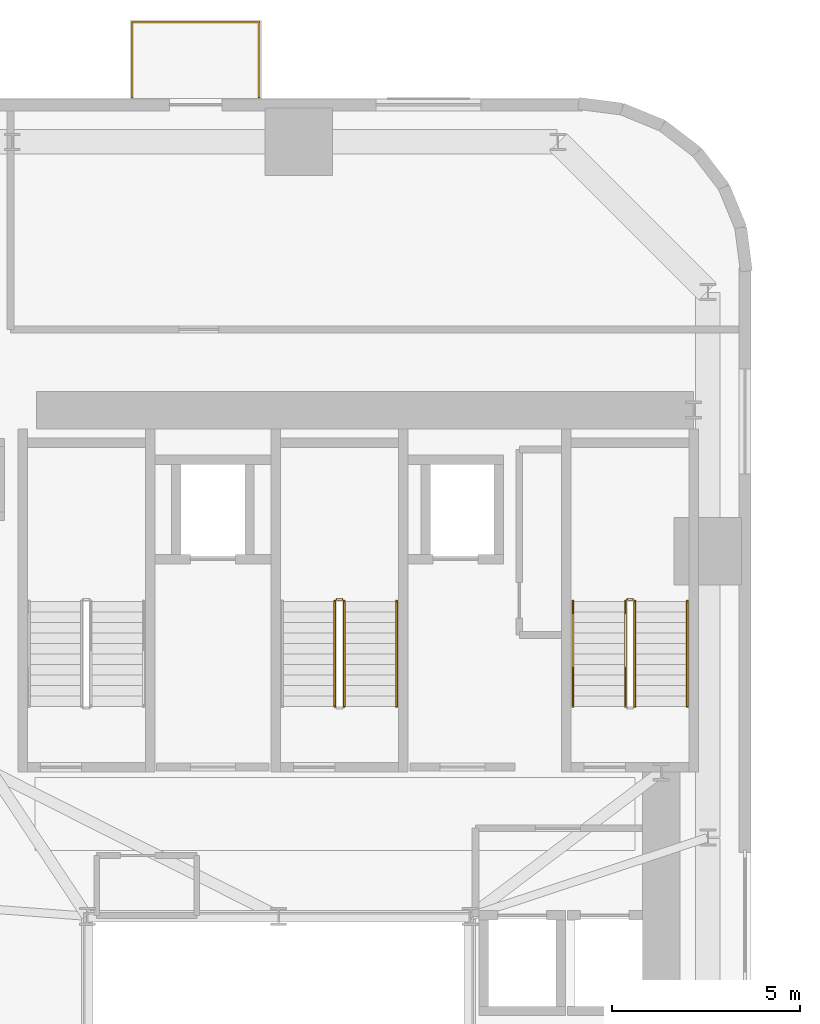
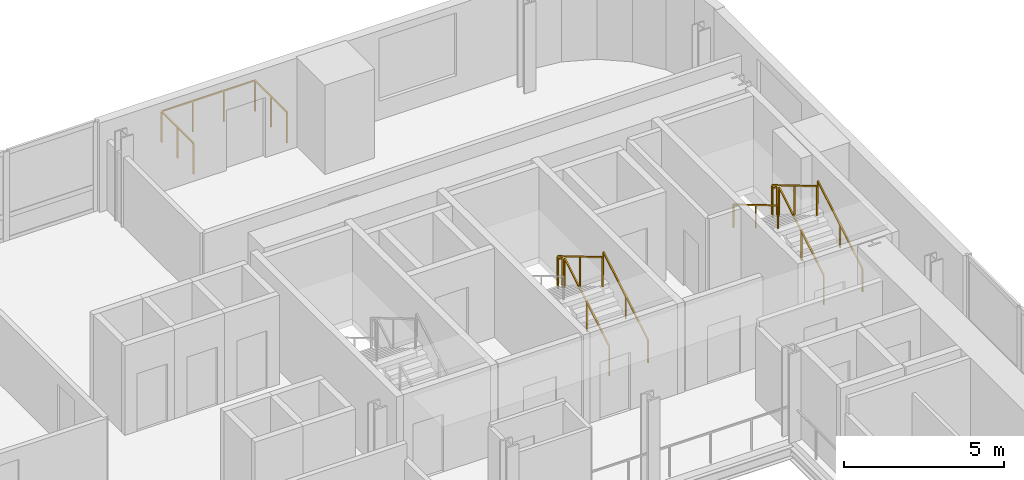
# One storey, part 13 of 13: 10 railings.
"""IFC4 building model written with IfcOpenShell, lengths in metres."""

from ifc_helpers import new_model, si_unit, direction, frame, origin, origin_2d, place, context, subcontext, project, spatial, rectangle, extrude, source, transform, mapped, material, type_object, element, save


model = new_model("IFC4")

# Units and contexts
model_context = context("Model", 3, precision=1e-05, world=origin(), true_north=direction((0.0, 1.0)))
body_context = subcontext(model_context, "Body", "Model", "MODEL_VIEW")
ifc_project = project(units=[si_unit("LENGTHUNIT", "METRE"), si_unit("AREAUNIT", "SQUARE_METRE"), si_unit("VOLUMEUNIT", "CUBIC_METRE"), si_unit("PLANEANGLEUNIT", "RADIAN"), si_unit("MASSUNIT", "GRAM", prefix="KILO")], contexts=[model_context])

# Site, building, storey
site_placement = place(None, origin())
site = spatial("IfcSite", under=ifc_project, at=site_placement, CompositionType="ELEMENT")
building_placement = place(site_placement, origin())
building = spatial("IfcBuilding", under=site, at=building_placement, Name="Vardaveli Station Tower", CompositionType="ELEMENT")
storey_placement = place(building_placement, frame((0.0, 0.0, 86.0)))
storey = spatial("IfcBuildingStorey", under=building, at=storey_placement, Name="L22", CompositionType="ELEMENT", Elevation=86.0)

# Railings
ifc_material_1 = material(Name="Laminated glass and stainless steel balustrade", Category="steel")
railing_type_1 = type_object("IfcRailingType", Name="RL-BAL-1200", PredefinedType="BALUSTRADE", material=ifc_material_1)
shared_shape_1 = source(origin(), body_context, "Body", "SweptSolid", [
    extrude(rectangle(XDim=0.048095703125, YDim=0.048095703125, at=origin_2d()), frame((0.0, 0.0, 1.17578125), z_axis=(0.0, 1.0, 0.0), x_axis=(-1.0, 0.0, 0.0)), (0.0, 0.0, 1.0), 2.0),
    extrude(rectangle(XDim=0.048095703125, YDim=0.048095703125, at=origin_2d()), frame((0.0, 2.0, 1.17578125), z_axis=(1.0, 0.0, 0.0), x_axis=(0.0, 1.0, 0.0)), (0.0, 0.0, 1.0), 3.3798828125),
    extrude(rectangle(XDim=0.048095703125, YDim=0.048095703125, at=origin_2d()), frame((3.3798828125, 2.0, 1.17578125), z_axis=(0.0, -1.0, 0.0), x_axis=(1.0, 0.0, 0.0)), (0.0, 0.0, 1.0), 2.0),
    extrude(rectangle(XDim=0.0419921875, YDim=0.0419921875, at=origin_2d()), origin(), (0.0, 0.0, 1.0), 1.15185546875),
    extrude(rectangle(XDim=0.0419921875, YDim=0.0419921875, at=origin_2d()), frame((0.0, 1.0, 0.0)), (0.0, 0.0, 1.0), 1.15185546875),
    extrude(rectangle(XDim=0.0419921875, YDim=0.0419921875, at=origin_2d()), frame((0.0, 2.0, 0.0)), (0.0, 0.0, 1.0), 1.15185546875),
    extrude(rectangle(XDim=0.0419921875, YDim=0.0419921875, at=origin_2d()), frame((1.126708984375, 2.0, 0.0)), (0.0, 0.0, 1.0), 1.15185546875),
    extrude(rectangle(XDim=0.0419921875, YDim=0.0419921875, at=origin_2d()), frame((2.253173828125, 2.0, 0.0)), (0.0, 0.0, 1.0), 1.15185546875),
    extrude(rectangle(XDim=0.0419921875, YDim=0.0419921875, at=origin_2d()), frame((3.3798828125, 2.0, 0.0)), (0.0, 0.0, 1.0), 1.15185546875),
    extrude(rectangle(XDim=0.0419921875, YDim=0.0419921875, at=origin_2d()), frame((3.3798828125, 1.0, 0.0)), (0.0, 0.0, 1.0), 1.15185546875),
    extrude(rectangle(XDim=0.0419921875, YDim=0.0419921875, at=origin_2d()), frame((3.3798828125, 0.0, 0.0)), (0.0, 0.0, 1.0), 1.15185546875),
])
railing_1_placement = place(storey_placement, frame((32.399658203125, 48.639892578125, 0.0)))
element("IfcRailing", 1, at=railing_1_placement, inside=storey, type_object=railing_type_1, Name="RL-LOG-L22-02", PredefinedType="BALUSTRADE", context=body_context, shape_type="MappedRepresentation", body=[
    mapped(shared_shape_1, transform((0.0, 0.0, 0.0), scale=1.0)),
])
ifc_material_2 = material(Name="Brushed AISI 316 stainless steel", Category="steel")
railing_type_2 = type_object("IfcRailingType", Name="RL-GUARD-1150", PredefinedType="GUARDRAIL", material=ifc_material_2)
shared_shape_2 = source(origin(), body_context, "Body", "SweptSolid", [
    extrude(rectangle(XDim=0.048095703125, YDim=0.048095703125, at=origin_2d()), frame((0.0, 0.0, 1.1259765625), z_axis=(-1.0, 0.0, 0.0), x_axis=(0.0, -1.0, 0.0)), (0.0, 0.0, 1.0), 0.14990234375),
    extrude(rectangle(XDim=0.0419921875, YDim=0.0419921875, at=origin_2d()), origin(), (0.0, 0.0, 1.0), 1.101806640625),
    extrude(rectangle(XDim=0.0419921875, YDim=0.0419921875, at=origin_2d()), frame((-0.14990234375, 0.0, 0.0)), (0.0, 0.0, 1.0), 1.101806640625),
])
for number, where, name in (
    (2, (38.0, 35.25, 1.824951171875), "L22 ST-2 stair guard 2"),
    (3, (45.75, 35.25, 1.824951171875), "L22 ST-3 stair guard 2"),
):
    element("IfcRailing", number, at=place(storey_placement, frame(where)), inside=storey, type_object=railing_type_2, Name=name, PredefinedType="GUARDRAIL", context=body_context, shape_type="MappedRepresentation", body=[
        mapped(shared_shape_2, transform((0.0, 0.0, 0.0), scale=1.0)),
    ])
shared_shape_3 = source(origin(), body_context, "Body", "SweptSolid", [
    extrude(rectangle(XDim=0.048095703125, YDim=0.048095703125, at=origin_2d()), frame((0.0, 0.0, 1.1259765625), z_axis=(0.0, 0.860339051648, 0.50972219513), x_axis=(-1.0, 0.0, 0.0)), (0.0, 0.0, 1.0), 3.254638671875),
    extrude(rectangle(XDim=0.0419921875, YDim=0.0419921875, at=origin_2d()), origin(), (0.0, 0.0, 1.0), 1.101806640625),
    extrude(rectangle(XDim=0.0419921875, YDim=0.0419921875, at=origin_2d()), frame((0.0, 1.39990234375, 0.82958984375)), (0.0, 0.0, 1.0), 1.101806640625),
    extrude(rectangle(XDim=0.0419921875, YDim=0.0419921875, at=origin_2d()), frame((0.0, 2.800048828125, 1.658935546875)), (0.0, 0.0, 1.0), 1.101806640625),
])
for number, where, name in (
    (4, (38.050048828125, 32.39990234375, 0.166015625), "L22 ST-2 stair guard 1"),
    (5, (45.800048828125, 32.39990234375, 0.166015625), "L22 ST-3 stair guard 1"),
):
    element("IfcRailing", number, at=place(storey_placement, frame(where)), inside=storey, type_object=railing_type_2, Name=name, PredefinedType="GUARDRAIL", context=body_context, shape_type="MappedRepresentation", body=[
        mapped(shared_shape_3, transform((0.0, 0.0, 0.0), scale=1.0)),
    ])
shared_shape_4 = source(origin(), body_context, "Body", "SweptSolid", [
    extrude(rectangle(XDim=0.048095703125, YDim=0.048095703125, at=origin_2d()), frame((0.0, 0.0, 1.1259765625), z_axis=(0.0, -0.860339051648, 0.50972219513), x_axis=(1.0, 0.0, 0.0)), (0.0, 0.0, 1.0), 3.254638671875),
    extrude(rectangle(XDim=0.0419921875, YDim=0.0419921875, at=origin_2d()), origin(), (0.0, 0.0, 1.0), 1.101806640625),
    extrude(rectangle(XDim=0.0419921875, YDim=0.0419921875, at=origin_2d()), frame((0.0, -1.39990234375, 0.82958984375)), (0.0, 0.0, 1.0), 1.101806640625),
    extrude(rectangle(XDim=0.0419921875, YDim=0.0419921875, at=origin_2d()), frame((0.0, -2.800048828125, 1.658935546875)), (0.0, 0.0, 1.0), 1.101806640625),
])
for number, where, name in (
    (6, (37.800048828125, 35.199951171875, 1.990966796875), "L22 ST-2 stair guard 3"),
    (7, (45.550048828125, 35.199951171875, 1.990966796875), "L22 ST-3 stair guard 3"),
):
    element("IfcRailing", number, at=place(storey_placement, frame(where)), inside=storey, type_object=railing_type_2, Name=name, PredefinedType="GUARDRAIL", context=body_context, shape_type="MappedRepresentation", body=[
        mapped(shared_shape_4, transform((0.0, 0.0, 0.0), scale=1.0)),
    ])
railing_type_3 = type_object("IfcRailingType", Name="RL-HAND-900", PredefinedType="HANDRAIL", material=ifc_material_2)
shared_shape_5 = source(origin(), body_context, "Body", "SweptSolid", [
    extrude(rectangle(XDim=0.048095703125, YDim=0.048095703125, at=origin_2d()), frame((0.0, 0.0, 0.8759765625), z_axis=(0.0, 0.860339051648, 0.50972219513), x_axis=(-1.0, 0.0, 0.0)), (0.0, 0.0, 1.0), 3.254638671875),
    extrude(rectangle(XDim=0.0419921875, YDim=0.0419921875, at=origin_2d()), origin(), (0.0, 0.0, 1.0), 0.851806640625),
    extrude(rectangle(XDim=0.0419921875, YDim=0.0419921875, at=origin_2d()), frame((0.0, 1.39990234375, 0.82958984375)), (0.0, 0.0, 1.0), 0.851806640625),
    extrude(rectangle(XDim=0.0419921875, YDim=0.0419921875, at=origin_2d()), frame((0.0, 2.800048828125, 1.658935546875)), (0.0, 0.0, 1.0), 0.851806640625),
])
for number, where, name in (
    (8, (39.449951171875, 32.39990234375, 0.166015625), "L22 ST-2 stair handrail 1"),
    (9, (47.199951171875, 32.39990234375, 0.166015625), "L22 ST-3 stair handrail 1"),
):
    element("IfcRailing", number, at=place(storey_placement, frame(where)), inside=storey, type_object=railing_type_3, Name=name, PredefinedType="HANDRAIL", context=body_context, shape_type="MappedRepresentation", body=[
        mapped(shared_shape_5, transform((0.0, 0.0, 0.0), scale=1.0)),
    ])
shared_shape_6 = source(origin(), body_context, "Body", "SweptSolid", [
    extrude(rectangle(XDim=0.048095703125, YDim=0.048095703125, at=origin_2d()), frame((0.0, 0.0, 0.8759765625), z_axis=(0.0, -0.860339051648, 0.50972219513), x_axis=(1.0, 0.0, 0.0)), (0.0, 0.0, 1.0), 3.254638671875),
    extrude(rectangle(XDim=0.0419921875, YDim=0.0419921875, at=origin_2d()), origin(), (0.0, 0.0, 1.0), 0.851806640625),
    extrude(rectangle(XDim=0.0419921875, YDim=0.0419921875, at=origin_2d()), frame((0.0, -1.39990234375, 0.82958984375)), (0.0, 0.0, 1.0), 0.851806640625),
    extrude(rectangle(XDim=0.0419921875, YDim=0.0419921875, at=origin_2d()), frame((0.0, -2.800048828125, 1.658935546875)), (0.0, 0.0, 1.0), 0.851806640625),
])
railing_2_placement = place(storey_placement, frame((44.14990234375, 35.199951171875, 1.990966796875)))
element("IfcRailing", 10, at=railing_2_placement, inside=storey, type_object=railing_type_3, Name="L22 ST-3 stair handrail 2", PredefinedType="HANDRAIL", context=body_context, shape_type="MappedRepresentation", body=[
    mapped(shared_shape_6, transform((0.0, 0.0, 0.0), scale=1.0)),
])

save(model, "model.ifc")
